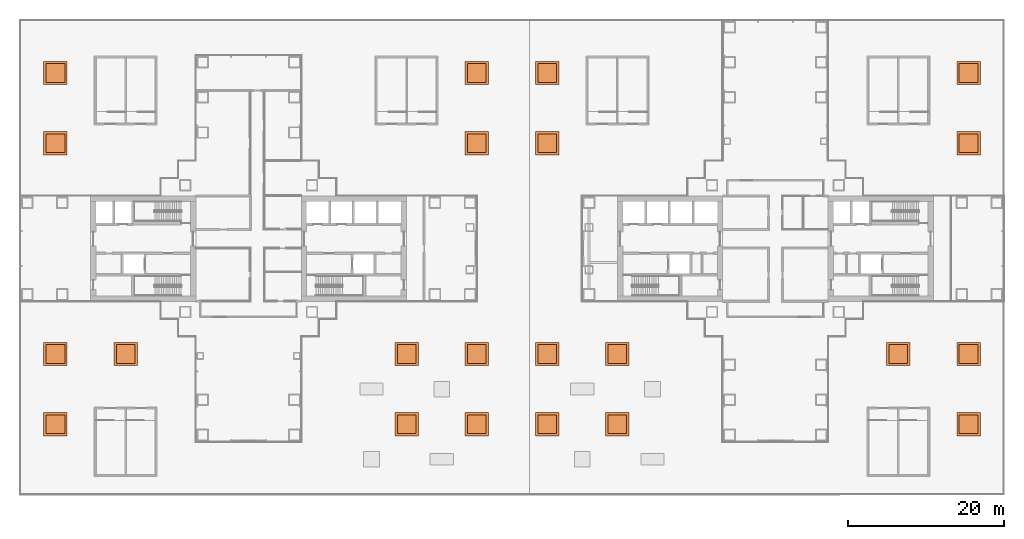
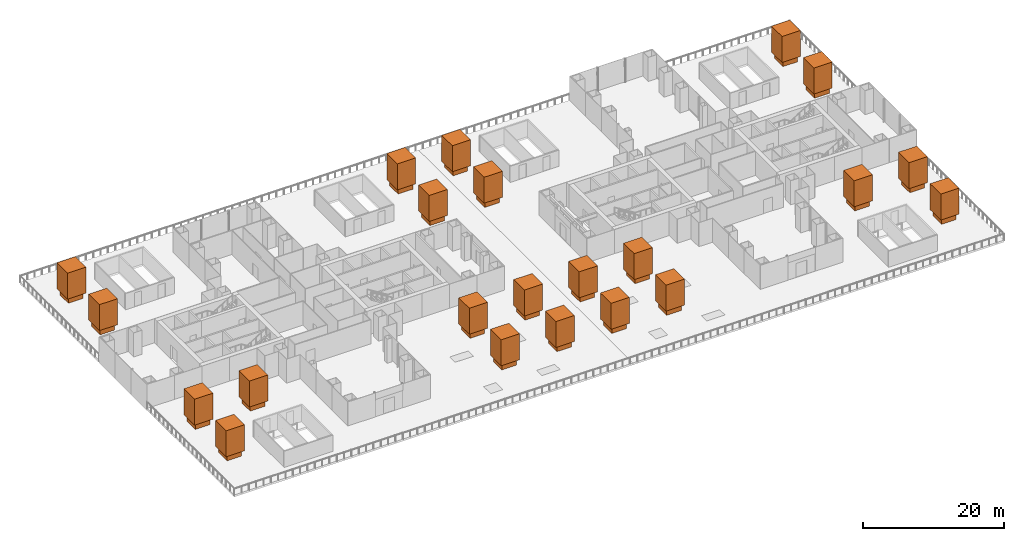
# One storey, part 23 of 23: 22 geographic elements, 22 proxies.
"""IFC4 building model written with IfcOpenShell, lengths in metres."""

from ifc_helpers import new_model, si_unit, direction, frame, origin, origin_2d, place, context, subcontext, project, spatial, rectangle, extrude, material, type_object, element, save


model = new_model("IFC4")

# Units and contexts
model_context = context("Model", 3, precision=1e-05, world=origin(), true_north=direction((0.0, 1.0)))
body_context = subcontext(model_context, "Body", "Model", "MODEL_VIEW")
ifc_project = project(units=[si_unit("LENGTHUNIT", "METRE"), si_unit("AREAUNIT", "SQUARE_METRE"), si_unit("VOLUMEUNIT", "CUBIC_METRE"), si_unit("PLANEANGLEUNIT", "RADIAN"), si_unit("MASSUNIT", "GRAM", prefix="KILO")], contexts=[model_context])

# Site, building, storey
site_placement = place(None, origin())
site = spatial("IfcSite", under=ifc_project, at=site_placement, CompositionType="ELEMENT")
building_placement = place(site_placement, origin())
building = spatial("IfcBuilding", under=site, at=building_placement, Name="Shamsa Quay Exchange Towers", CompositionType="ELEMENT")
storey_placement = place(building_placement, frame((0.0, 0.0, 28.5)))
storey = spatial("IfcBuildingStorey", under=building, at=storey_placement, Name="L05", CompositionType="ELEMENT", Elevation=28.5)

# Proxies
ifc_material_1 = material(Name="Reinforced concrete C30/37, black glass-fibre faced", Category="concrete")
building_element_proxy_type = type_object("IfcBuildingElementProxyType", Name="DECK PLANTER 1000", PredefinedType="USERDEFINED", material=ifc_material_1)
for number, where, name in (
    (1, (-58.5, -22.5, 0.0), "PLANTER deck 1"),
    (2, (-58.5, -13.5, 0.0), "PLANTER deck 3"),
    (3, (-58.5, 13.5, 0.0), "PLANTER deck 5"),
    (4, (-58.5, 22.5, 0.0), "PLANTER deck 7"),
    (5, (-49.5, -13.5, 0.0), "PLANTER deck 9"),
    (6, (-13.5, -22.5, 0.0), "PLANTER deck 11"),
    (7, (-13.5, -13.5, 0.0), "PLANTER deck 13"),
    (8, (-4.5, -22.5, 0.0), "PLANTER deck 15"),
    (9, (-4.5, -13.5, 0.0), "PLANTER deck 17"),
    (10, (-4.5, 13.5, 0.0), "PLANTER deck 19"),
    (11, (-4.5, 22.5, 0.0), "PLANTER deck 21"),
    (12, (4.5, -22.5, 0.0), "PLANTER deck 23"),
    (13, (4.5, -13.5, 0.0), "PLANTER deck 25"),
    (14, (4.5, 13.5, 0.0), "PLANTER deck 27"),
    (15, (4.5, 22.5, 0.0), "PLANTER deck 29"),
    (16, (13.5, -22.5, 0.0), "PLANTER deck 31"),
    (17, (13.5, -13.5, 0.0), "PLANTER deck 33"),
    (18, (49.5, -13.5, 0.0), "PLANTER deck 35"),
    (19, (58.5, -22.5, 0.0), "PLANTER deck 37"),
    (20, (58.5, -13.5, 0.0), "PLANTER deck 39"),
    (21, (58.5, 13.5, 0.0), "PLANTER deck 41"),
    (22, (58.5, 22.5, 0.0), "PLANTER deck 43"),
):
    element("IfcBuildingElementProxy", number, at=place(storey_placement, frame(where)), inside=storey, type_object=building_element_proxy_type, Name=name, ObjectType="PLANTER", PredefinedType="USERDEFINED", context=body_context, shape_type="SweptSolid", body=[
        extrude(rectangle(XDim=2.39990234375, YDim=2.39990234375, at=origin_2d()), origin(), (0.0, 0.0, 1.0), 1.0),
    ])

# Geographic elements
ifc_material_2 = material(Name="Planting")
geographic_element_type = type_object("IfcGeographicElementType", Name="DECK TREE", PredefinedType="USERDEFINED", material=ifc_material_2)
for number, where, name in (
    (23, (-58.5, -22.5, 1.0), "TREE deck 1"),
    (24, (-58.5, -13.5, 1.0), "TREE deck 3"),
    (25, (-58.5, 13.5, 1.0), "TREE deck 5"),
    (26, (-58.5, 22.5, 1.0), "TREE deck 7"),
    (27, (-49.5, -13.5, 1.0), "TREE deck 9"),
    (28, (-13.5, -22.5, 1.0), "TREE deck 11"),
    (29, (-13.5, -13.5, 1.0), "TREE deck 13"),
    (30, (-4.5, -22.5, 1.0), "TREE deck 15"),
    (31, (-4.5, -13.5, 1.0), "TREE deck 17"),
    (32, (-4.5, 13.5, 1.0), "TREE deck 19"),
    (33, (-4.5, 22.5, 1.0), "TREE deck 21"),
    (34, (4.5, -22.5, 1.0), "TREE deck 23"),
    (35, (4.5, -13.5, 1.0), "TREE deck 25"),
    (36, (4.5, 13.5, 1.0), "TREE deck 27"),
    (37, (4.5, 22.5, 1.0), "TREE deck 29"),
    (38, (13.5, -22.5, 1.0), "TREE deck 31"),
    (39, (13.5, -13.5, 1.0), "TREE deck 33"),
    (40, (49.5, -13.5, 1.0), "TREE deck 35"),
    (41, (58.5, -22.5, 1.0), "TREE deck 37"),
    (42, (58.5, -13.5, 1.0), "TREE deck 39"),
    (43, (58.5, 13.5, 1.0), "TREE deck 41"),
    (44, (58.5, 22.5, 1.0), "TREE deck 43"),
):
    element("IfcGeographicElement", number, at=place(storey_placement, frame(where)), inside=storey, type_object=geographic_element_type, Name=name, ObjectType="TREE", PredefinedType="USERDEFINED", context=body_context, shape_type="SweptSolid", body=[
        extrude(rectangle(XDim=3.0, YDim=3.0, at=origin_2d()), origin(), (0.0, 0.0, 1.0), 4.5),
    ])

save(model, "model.ifc")
